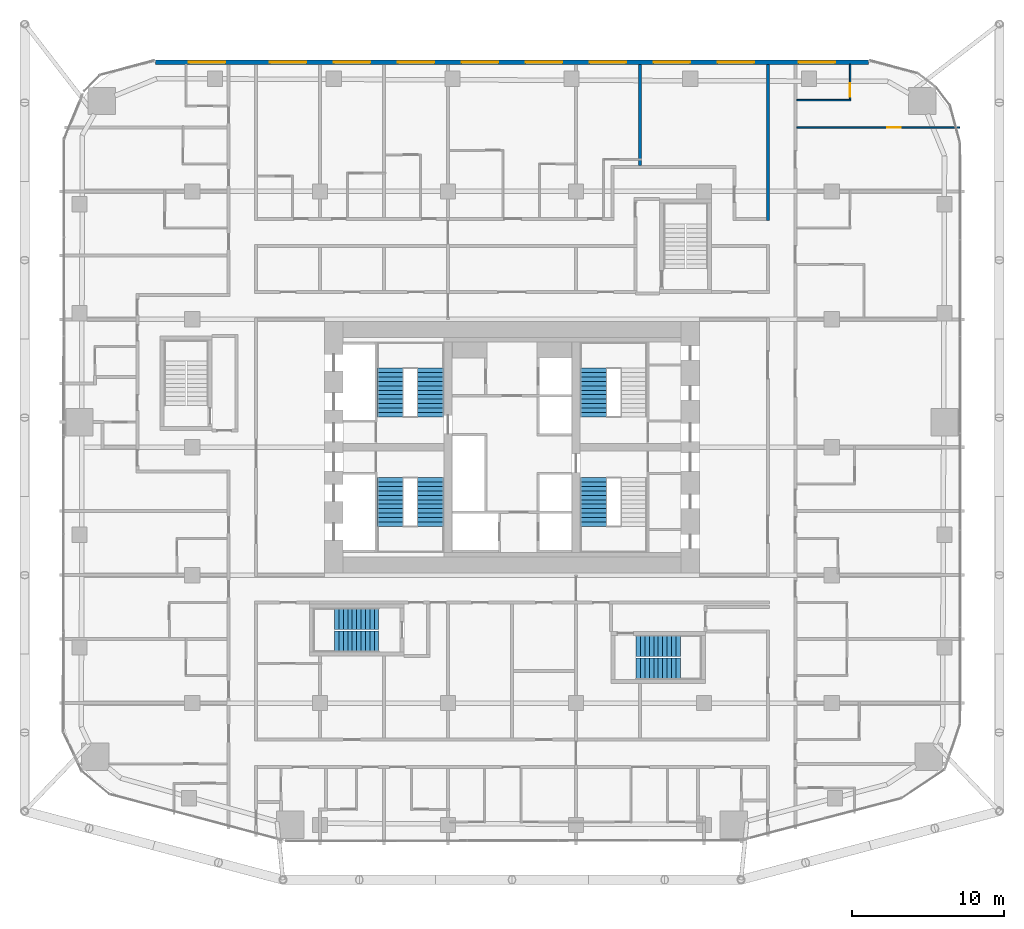
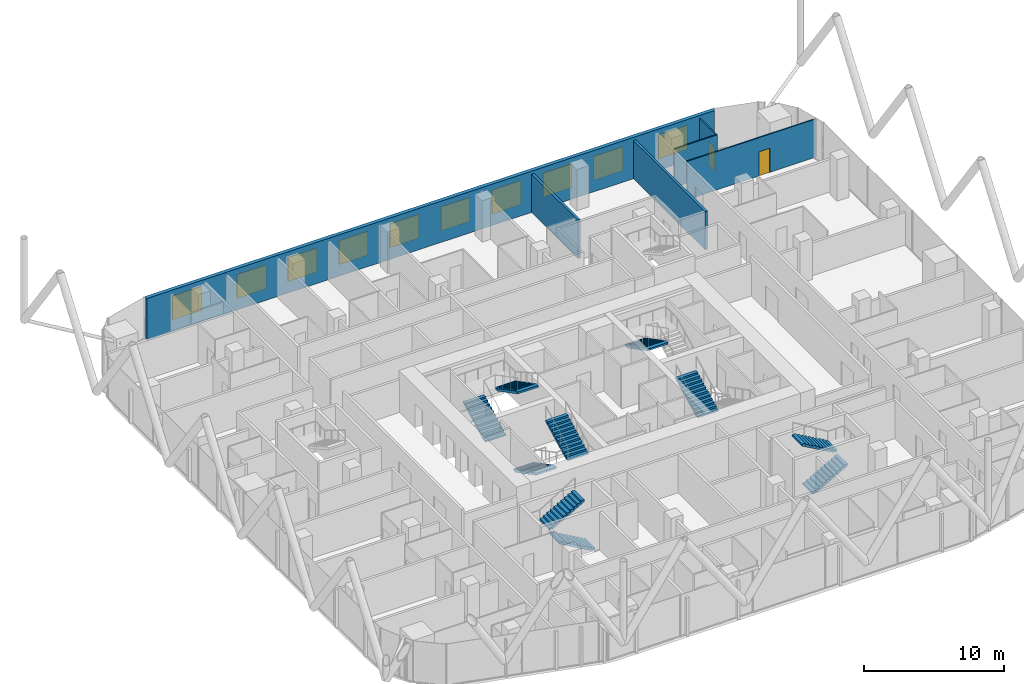
# One storey, part 32 of 35: 10 stair flights, 10 windows, 6 walls, 2 doors, 12 openings, 6 elements without a shape of their own.
"""IFC4 building model written with IfcOpenShell, lengths in metres."""

import ifcopenshell
import ifcopenshell.guid

model = None  # the IFC model being written
_history = None  # IfcOwnerHistory: only IFC2X3 demands one
_inside = {}  # id of a spatial element -> (the spatial element, [elements in it])
_under = {}  # id of a project, library or spatial element -> (it, [spatial elements below it])
_declared = {}  # id of a project -> (the project, [libraries it declares])
_typed = {}  # id of a type object -> (the type object, [elements of that type])
_made_of = {}  # id of a material, layer set ... -> (it, [elements and type objects made of it])


def new_model(schema):
    """Start an empty IFC model of exactly this schema.

    Asked for "IFC4X3", IfcOpenShell would pick the latest addendum, in which some entities
    have other attributes; the version numbers below select the first issue.
    IFC2X3 requires an IfcOwnerHistory on every rooted entity: one is made here for all.
    """
    global model, _history
    if schema == "IFC4X3":
        model = ifcopenshell.file(schema_version=(4, 3, 0, 0))
    else:
        model = ifcopenshell.file(schema=schema)
    _inside.clear()
    _under.clear()
    _declared.clear()
    _typed.clear()
    _made_of.clear()
    _history = None
    if model.schema == "IFC2X3":
        org = make("IfcOrganization", Name="unknown")
        user = make(
            "IfcPersonAndOrganization",
            ThePerson=make("IfcPerson", FamilyName="unknown"),
            TheOrganization=org,
        )
        app = make(
            "IfcApplication",
            ApplicationDeveloper=org,
            Version="unknown",
            ApplicationFullName="unknown",
            ApplicationIdentifier="unknown",
        )
        _history = make(
            "IfcOwnerHistory",
            OwningUser=user,
            OwningApplication=app,
            ChangeAction="ADDED",
            CreationDate=0,
        )
    return model


def make(cls, **values):
    """One entity of the class cls with the attributes given. An attribute that is None is left unset."""
    return model.create_entity(
        cls, **{name: value for name, value in values.items() if value is not None}
    )


def rooted(cls, **values):
    """An entity with a GlobalId (a new one), such as an element, a storey or a relation."""
    return make(cls, GlobalId=ifcopenshell.guid.new(), OwnerHistory=_history, **values)


def si_unit(unit_type, name, prefix=None):
    """IfcSIUnit, for example si_unit("LENGTHUNIT", "METRE", prefix="MILLI")."""
    return make("IfcSIUnit", UnitType=unit_type, Prefix=prefix, Name=name)


def assignment(units):
    """IfcUnitAssignment: the units of a project."""
    return None if units is None else make("IfcUnitAssignment", Units=units)


def point(xyz):
    """IfcCartesianPoint."""
    return None if xyz is None else make("IfcCartesianPoint", Coordinates=xyz)


def direction(xyz):
    """IfcDirection."""
    return None if xyz is None else make("IfcDirection", DirectionRatios=xyz)


def frame(location, z_axis=None, x_axis=None):
    """IfcAxis2Placement3D, a coordinate frame: its origin and axes. An axis left out is left unset."""
    return make(
        "IfcAxis2Placement3D",
        Location=point(location),
        Axis=direction(z_axis),
        RefDirection=direction(x_axis),
    )


def frame_2d(location, x_axis=None):
    """IfcAxis2Placement2D, a coordinate frame in the plane: its origin and x axis."""
    return make(
        "IfcAxis2Placement2D", Location=point(location), RefDirection=direction(x_axis)
    )


def origin():
    """The frame at (0, 0, 0) with its axes left unset."""
    return frame((0.0, 0.0, 0.0))


def place(relative_to, where):
    """IfcLocalPlacement: puts the frame where relative to a parent placement (None: the world)."""
    return make(
        "IfcLocalPlacement", PlacementRelTo=relative_to, RelativePlacement=where
    )


def context(
    kind, dimensions, precision=None, world=None, true_north=None, identifier=None
):
    """IfcGeometricRepresentationContext, for example the 3D "Model" context."""
    return make(
        "IfcGeometricRepresentationContext",
        ContextIdentifier=identifier,
        ContextType=kind,
        CoordinateSpaceDimension=dimensions,
        Precision=precision,
        WorldCoordinateSystem=world,
        TrueNorth=true_north,
    )


def subcontext(parent, identifier, kind, view, scale=None):
    """IfcGeometricRepresentationSubContext, for example "Body" below "Model"."""
    return make(
        "IfcGeometricRepresentationSubContext",
        ContextIdentifier=identifier,
        ContextType=kind,
        ParentContext=parent,
        TargetScale=scale,
        TargetView=view,
    )


def project(units=None, contexts=None):
    """IfcProject with its units and contexts."""
    return rooted(
        "IfcProject",
        Name="project",
        RepresentationContexts=contexts,
        UnitsInContext=assignment(units),
    )


def spatial(cls, under=None, at=None, **own):
    """A site, building, storey or space (cls), placed at a placement, below another one or the project."""
    s = rooted(cls, ObjectPlacement=at, **own)
    if under is not None:
        _under.setdefault(under.id(), (under, []))[1].append(s)
    return s


def polyline(points):
    """IfcPolyline through the points."""
    return make("IfcPolyline", Points=[point(p) for p in points])


def profile(cls, at=None, kind="AREA", **sizes):
    """A parametric profile (cls). Its sizes go by their IFC names, for example OverallWidth=200.0."""
    return make(cls, ProfileType=kind, Position=at, **sizes)


def rectangle(**sizes):
    """IfcRectangleProfileDef."""
    return profile("IfcRectangleProfileDef", **sizes)


def outline(outer, holes=None, kind="AREA"):
    """IfcArbitraryClosedProfileDef: a profile drawn as a closed curve; with holes, ...WithVoids."""
    if holes is None:
        return make("IfcArbitraryClosedProfileDef", ProfileType=kind, OuterCurve=outer)
    return make(
        "IfcArbitraryProfileDefWithVoids",
        ProfileType=kind,
        OuterCurve=outer,
        InnerCurves=holes,
    )


def extrude(swept, where, along, depth):
    """IfcExtrudedAreaSolid: the profile swept, set in the frame where, extruded along a direction by depth."""
    return make(
        "IfcExtrudedAreaSolid",
        SweptArea=swept,
        Position=where,
        ExtrudedDirection=direction(along),
        Depth=depth,
    )


def shape(context_of_items, identifier, shape_type, items):
    """IfcShapeRepresentation: the items that make up one representation, for example the "Body"."""
    return make(
        "IfcShapeRepresentation",
        ContextOfItems=context_of_items,
        RepresentationIdentifier=identifier,
        RepresentationType=shape_type,
        Items=items,
    )


def material(Name=None, Category=None):
    """IfcMaterial."""
    return make("IfcMaterial", Name=Name, Category=Category)


def layer(
    of_material, thickness, ventilated=None, Name=None, Category=None, Priority=None
):
    """IfcMaterialLayer: one layer of a wall or slab, of a material (None: an air gap)."""
    return make(
        "IfcMaterialLayer",
        Material=of_material,
        LayerThickness=thickness,
        IsVentilated=ventilated,
        Name=Name,
        Category=Category,
        Priority=Priority,
    )


def layer_set(layers, Name=None):
    """IfcMaterialLayerSet."""
    return make("IfcMaterialLayerSet", MaterialLayers=layers, LayerSetName=Name)


def made_of(thing, what):
    """Note that an element or type object is made of a material, layer set ...; save() writes the relation."""
    if what is not None:
        _made_of.setdefault(what.id(), (what, []))[1].append(thing)
    return thing


def type_object(cls, material=None, **own):
    """A type object (cls), such as IfcWallType, which elements share."""
    return made_of(rooted(cls, **own), material)


def element(
    cls,
    number,
    at=None,
    inside=None,
    cuts=None,
    type_object=None,
    material=None,
    context=None,
    identifier="Body",
    shape_type=None,
    held_by="IfcProductDefinitionShape",
    body=None,
    shapes=None,
    **own,
):
    """One element of the class cls, such as IfcWall. Its Tag is "e" and its number.

    at: its placement. inside: the storey or other place that contains it. cuts: it is an
    opening in that element (IfcRelVoidsElement). A single representation is given by context,
    identifier, shape_type and body (its items); several are given by shapes. held_by: the class
    of the entity that holds the representations. save() writes the other relations.
    """
    e = rooted(cls, Tag="e%d" % number, ObjectPlacement=at, **own)
    if body is not None:
        shapes = [shape(context, identifier, shape_type, body)]
    if shapes is not None:
        e.Representation = make(held_by, Representations=shapes)
    if inside is not None:
        _inside.setdefault(inside.id(), (inside, []))[1].append(e)
    if cuts is not None:
        rooted(
            "IfcRelVoidsElement", RelatingBuildingElement=cuts, RelatedOpeningElement=e
        )
    if type_object is not None:
        _typed.setdefault(type_object.id(), (type_object, []))[1].append(e)
    return made_of(e, material)


def fill(opening, filler):
    """IfcRelFillsElement: the door or window that sits in an opening."""
    return rooted(
        "IfcRelFillsElement",
        RelatingOpeningElement=opening,
        RelatedBuildingElement=filler,
    )


def aggregate(whole, parts):
    """IfcRelAggregates: a whole, such as a stair, and the parts it consists of."""
    return rooted("IfcRelAggregates", RelatingObject=whole, RelatedObjects=parts)


def save(model, path):
    """Write the relations noted so far, then the file.

    IfcRelAggregates (storeys below a building ...), IfcRelContainedInSpatialStructure (elements
    in a storey), IfcRelDefinesByType, IfcRelAssociatesMaterial and IfcRelDeclares: one each for
    every whole, place, type object, material and project.
    """
    for whole, parts in _under.values():
        aggregate(whole, parts)
    for where, things in _inside.values():
        rooted(
            "IfcRelContainedInSpatialStructure",
            RelatedElements=things,
            RelatingStructure=where,
        )
    for kind, things in _typed.values():
        rooted("IfcRelDefinesByType", RelatedObjects=things, RelatingType=kind)
    for what, things in _made_of.values():
        rooted("IfcRelAssociatesMaterial", RelatedObjects=things, RelatingMaterial=what)
    for by, libraries in _declared.values():
        rooted("IfcRelDeclares", RelatingContext=by, RelatedDefinitions=libraries)
    model.write(path)


model = new_model("IFC4")

# Units and contexts
model_context = context("Model", 3, precision=1e-05, world=origin(), true_north=direction((0.0, 1.0)))
body_context = subcontext(model_context, "Body", "Model", "MODEL_VIEW")
ifc_project = project(units=[si_unit("LENGTHUNIT", "METRE"), si_unit("AREAUNIT", "SQUARE_METRE"), si_unit("VOLUMEUNIT", "CUBIC_METRE"), si_unit("PLANEANGLEUNIT", "RADIAN"), si_unit("MASSUNIT", "GRAM", prefix="KILO")], contexts=[model_context])

# Site, building, storey
site_placement = place(None, origin())
site = spatial("IfcSite", under=ifc_project, at=site_placement, CompositionType="ELEMENT")
building_placement = place(site_placement, origin())
building = spatial("IfcBuilding", under=site, at=building_placement, Name="Marenta Gate Hotel Tower", CompositionType="ELEMENT")
storey_placement = place(building_placement, frame((0.0, 0.0, 61.699951171875)))
storey = spatial("IfcBuildingStorey", under=building, at=storey_placement, Name="L13", CompositionType="ELEMENT", Elevation=61.699951171875)

# Wall, openings, windows
ifc_material_1 = material(Name="Concrete C40 board-marked", Category="concrete")
ifc_layer_1 = layer(ifc_material_1, 0.300048828125)
ifc_layer_set_1 = layer_set([ifc_layer_1], Name="Concrete C40 board-marked")
wall_type_1 = type_object("IfcWallType", Name="Board-marked concrete wall 300 mm", PredefinedType="NOTDEFINED", material=ifc_layer_set_1)
wall_1_placement = place(storey_placement, frame((23.406005859375, 33.68994140625, 0.0), z_axis=(0.0, 0.0, 1.0), x_axis=(-1.0, 0.0, 0.0)))
wall_1 = element("IfcWall", 1, at=wall_1_placement, inside=storey, type_object=wall_type_1, Name="L13-CLD-N00", PredefinedType="NOTDEFINED", context=body_context, shape_type="SweptSolid", body=[
    extrude(rectangle(XDim=46.81201171875, YDim=0.300048828125, at=frame_2d((23.406005859375, 0.0))), origin(), (0.0, 0.0, 1.0), 3.60009765625),
])
opening_1_placement = place(wall_1_placement, frame((2.185791015625, 0.0, 0.89990234375)))
opening_1 = element("IfcOpeningElement", 2, at=opening_1_placement, cuts=wall_1, Name="Opening W1", PredefinedType="OPENING", context=body_context, shape_type="SweptSolid", body=[
    extrude(rectangle(XDim=2.39990234375, YDim=2.10009765625, at=frame_2d((1.199951171875, 1.050048828125))), frame((0.0, 0.14990234375, 0.0), z_axis=(0.0, -1.0, 0.0), x_axis=(1.0, 0.0, 0.0)), (0.0, 0.0, 1.0), 0.300048828125),
])
opening_2_placement = place(wall_1_placement, frame((7.505859375, 0.0, 0.89990234375)))
opening_2 = element("IfcOpeningElement", 3, at=opening_2_placement, cuts=wall_1, Name="Opening W1", PredefinedType="OPENING", context=body_context, shape_type="SweptSolid", body=[
    extrude(rectangle(XDim=2.39990234375, YDim=2.10009765625, at=frame_2d((1.199951171875, 1.050048828125))), frame((0.0, 0.14990234375, 0.0), z_axis=(0.0, -1.0, 0.0), x_axis=(1.0, 0.0, 0.0)), (0.0, 0.0, 1.0), 0.300048828125),
])
opening_3_placement = place(wall_1_placement, frame((11.705810546875, 0.0, 0.89990234375)))
opening_3 = element("IfcOpeningElement", 4, at=opening_3_placement, cuts=wall_1, Name="Opening W1", PredefinedType="OPENING", context=body_context, shape_type="SweptSolid", body=[
    extrude(rectangle(XDim=2.39990234375, YDim=2.10009765625, at=frame_2d((1.199951171875, 1.050048828125))), frame((0.0, 0.14990234375, 0.0), z_axis=(0.0, -1.0, 0.0), x_axis=(1.0, 0.0, 0.0)), (0.0, 0.0, 1.0), 0.300048828125),
])
opening_4_placement = place(wall_1_placement, frame((15.906005859375, 0.0, 0.89990234375)))
opening_4 = element("IfcOpeningElement", 5, at=opening_4_placement, cuts=wall_1, Name="Opening W1", PredefinedType="OPENING", context=body_context, shape_type="SweptSolid", body=[
    extrude(rectangle(XDim=2.39990234375, YDim=2.10009765625, at=frame_2d((1.199951171875, 1.050048828125))), frame((0.0, 0.14990234375, 0.0), z_axis=(0.0, -1.0, 0.0), x_axis=(1.0, 0.0, 0.0)), (0.0, 0.0, 1.0), 0.300048828125),
])
opening_5_placement = place(wall_1_placement, frame((20.10595703125, 0.0, 0.89990234375)))
opening_5 = element("IfcOpeningElement", 6, at=opening_5_placement, cuts=wall_1, Name="Opening W1", PredefinedType="OPENING", context=body_context, shape_type="SweptSolid", body=[
    extrude(rectangle(XDim=2.39990234375, YDim=2.10009765625, at=frame_2d((1.199951171875, 1.050048828125))), frame((0.0, 0.14990234375, 0.0), z_axis=(0.0, -1.0, 0.0), x_axis=(1.0, 0.0, 0.0)), (0.0, 0.0, 1.0), 0.300048828125),
])
opening_6_placement = place(wall_1_placement, frame((24.305908203125, 0.0, 0.89990234375)))
opening_6 = element("IfcOpeningElement", 7, at=opening_6_placement, cuts=wall_1, Name="Opening W1", PredefinedType="OPENING", context=body_context, shape_type="SweptSolid", body=[
    extrude(rectangle(XDim=2.39990234375, YDim=2.10009765625, at=frame_2d((1.199951171875, 1.050048828125))), frame((0.0, 0.14990234375, 0.0), z_axis=(0.0, -1.0, 0.0), x_axis=(1.0, 0.0, 0.0)), (0.0, 0.0, 1.0), 0.300048828125),
])
opening_7_placement = place(wall_1_placement, frame((28.505859375, 0.0, 0.89990234375)))
opening_7 = element("IfcOpeningElement", 8, at=opening_7_placement, cuts=wall_1, Name="Opening W1", PredefinedType="OPENING", context=body_context, shape_type="SweptSolid", body=[
    extrude(rectangle(XDim=2.39990234375, YDim=2.10009765625, at=frame_2d((1.199951171875, 1.050048828125))), frame((0.0, 0.14990234375, 0.0), z_axis=(0.0, -1.0, 0.0), x_axis=(1.0, 0.0, 0.0)), (0.0, 0.0, 1.0), 0.300048828125),
])
opening_8_placement = place(wall_1_placement, frame((32.705810546875, 0.0, 0.89990234375)))
opening_8 = element("IfcOpeningElement", 9, at=opening_8_placement, cuts=wall_1, Name="Opening W1", PredefinedType="OPENING", context=body_context, shape_type="SweptSolid", body=[
    extrude(rectangle(XDim=2.39990234375, YDim=2.10009765625, at=frame_2d((1.199951171875, 1.050048828125))), frame((0.0, 0.14990234375, 0.0), z_axis=(0.0, -1.0, 0.0), x_axis=(1.0, 0.0, 0.0)), (0.0, 0.0, 1.0), 0.300048828125),
])
opening_9_placement = place(wall_1_placement, frame((36.906005859375, 0.0, 0.89990234375)))
opening_9 = element("IfcOpeningElement", 10, at=opening_9_placement, cuts=wall_1, Name="Opening W1", PredefinedType="OPENING", context=body_context, shape_type="SweptSolid", body=[
    extrude(rectangle(XDim=2.39990234375, YDim=2.10009765625, at=frame_2d((1.199951171875, 1.050048828125))), frame((0.0, 0.14990234375, 0.0), z_axis=(0.0, -1.0, 0.0), x_axis=(1.0, 0.0, 0.0)), (0.0, 0.0, 1.0), 0.300048828125),
])
opening_10_placement = place(wall_1_placement, frame((42.225830078125, 0.0, 0.89990234375)))
opening_10 = element("IfcOpeningElement", 11, at=opening_10_placement, cuts=wall_1, Name="Opening W1", PredefinedType="OPENING", context=body_context, shape_type="SweptSolid", body=[
    extrude(rectangle(XDim=2.39990234375, YDim=2.10009765625, at=frame_2d((1.199951171875, 1.050048828125))), frame((0.0, 0.14990234375, 0.0), z_axis=(0.0, -1.0, 0.0), x_axis=(1.0, 0.0, 0.0)), (0.0, 0.0, 1.0), 0.300048828125),
])
ifc_material_2 = material(Name="Tinted insulated glass in bronze anodised frame", Category="glass")
window_type = type_object("IfcWindowType", Name="Window W1 2400x2100 bronze frame", PartitioningType="SINGLE_PANEL", PredefinedType="WINDOW", material=ifc_material_2)
window_1_placement = place(opening_1_placement, origin())
window_1 = element("IfcWindow", 12, at=window_1_placement, inside=storey, type_object=window_type, Name="Window W1", OverallHeight=2.10009765625, OverallWidth=2.39990234375, PartitioningType="SINGLE_PANEL", PredefinedType="WINDOW", context=body_context, shape_type="SweptSolid", body=[
    extrude(rectangle(XDim=2.39990234375, YDim=2.10009765625, at=frame_2d((1.199951171875, 1.050048828125))), frame((0.0, 0.030029296875, 0.0), z_axis=(0.0, -1.0, 0.0), x_axis=(1.0, 0.0, 0.0)), (0.0, 0.0, 1.0), 0.06005859375),
])
fill(opening_1, window_1)
window_2_placement = place(opening_2_placement, origin())
window_2 = element("IfcWindow", 13, at=window_2_placement, inside=storey, type_object=window_type, Name="Window W1", OverallHeight=2.10009765625, OverallWidth=2.39990234375, PartitioningType="SINGLE_PANEL", PredefinedType="WINDOW", context=body_context, shape_type="SweptSolid", body=[
    extrude(rectangle(XDim=2.39990234375, YDim=2.10009765625, at=frame_2d((1.199951171875, 1.050048828125))), frame((0.0, 0.030029296875, 0.0), z_axis=(0.0, -1.0, 0.0), x_axis=(1.0, 0.0, 0.0)), (0.0, 0.0, 1.0), 0.06005859375),
])
fill(opening_2, window_2)
window_3_placement = place(opening_3_placement, origin())
window_3 = element("IfcWindow", 14, at=window_3_placement, inside=storey, type_object=window_type, Name="Window W1", OverallHeight=2.10009765625, OverallWidth=2.39990234375, PartitioningType="SINGLE_PANEL", PredefinedType="WINDOW", context=body_context, shape_type="SweptSolid", body=[
    extrude(rectangle(XDim=2.39990234375, YDim=2.10009765625, at=frame_2d((1.199951171875, 1.050048828125))), frame((0.0, 0.030029296875, 0.0), z_axis=(0.0, -1.0, 0.0), x_axis=(1.0, 0.0, 0.0)), (0.0, 0.0, 1.0), 0.06005859375),
])
fill(opening_3, window_3)
window_4_placement = place(opening_4_placement, origin())
window_4 = element("IfcWindow", 15, at=window_4_placement, inside=storey, type_object=window_type, Name="Window W1", OverallHeight=2.10009765625, OverallWidth=2.39990234375, PartitioningType="SINGLE_PANEL", PredefinedType="WINDOW", context=body_context, shape_type="SweptSolid", body=[
    extrude(rectangle(XDim=2.39990234375, YDim=2.10009765625, at=frame_2d((1.199951171875, 1.050048828125))), frame((0.0, 0.030029296875, 0.0), z_axis=(0.0, -1.0, 0.0), x_axis=(1.0, 0.0, 0.0)), (0.0, 0.0, 1.0), 0.06005859375),
])
fill(opening_4, window_4)
window_5_placement = place(opening_5_placement, origin())
window_5 = element("IfcWindow", 16, at=window_5_placement, inside=storey, type_object=window_type, Name="Window W1", OverallHeight=2.10009765625, OverallWidth=2.39990234375, PartitioningType="SINGLE_PANEL", PredefinedType="WINDOW", context=body_context, shape_type="SweptSolid", body=[
    extrude(rectangle(XDim=2.39990234375, YDim=2.10009765625, at=frame_2d((1.199951171875, 1.050048828125))), frame((0.0, 0.030029296875, 0.0), z_axis=(0.0, -1.0, 0.0), x_axis=(1.0, 0.0, 0.0)), (0.0, 0.0, 1.0), 0.06005859375),
])
fill(opening_5, window_5)
window_6_placement = place(opening_6_placement, origin())
window_6 = element("IfcWindow", 17, at=window_6_placement, inside=storey, type_object=window_type, Name="Window W1", OverallHeight=2.10009765625, OverallWidth=2.39990234375, PartitioningType="SINGLE_PANEL", PredefinedType="WINDOW", context=body_context, shape_type="SweptSolid", body=[
    extrude(rectangle(XDim=2.39990234375, YDim=2.10009765625, at=frame_2d((1.199951171875, 1.050048828125))), frame((0.0, 0.030029296875, 0.0), z_axis=(0.0, -1.0, 0.0), x_axis=(1.0, 0.0, 0.0)), (0.0, 0.0, 1.0), 0.06005859375),
])
fill(opening_6, window_6)
window_7_placement = place(opening_7_placement, origin())
window_7 = element("IfcWindow", 18, at=window_7_placement, inside=storey, type_object=window_type, Name="Window W1", OverallHeight=2.10009765625, OverallWidth=2.39990234375, PartitioningType="SINGLE_PANEL", PredefinedType="WINDOW", context=body_context, shape_type="SweptSolid", body=[
    extrude(rectangle(XDim=2.39990234375, YDim=2.10009765625, at=frame_2d((1.199951171875, 1.050048828125))), frame((0.0, 0.030029296875, 0.0), z_axis=(0.0, -1.0, 0.0), x_axis=(1.0, 0.0, 0.0)), (0.0, 0.0, 1.0), 0.06005859375),
])
fill(opening_7, window_7)
window_8_placement = place(opening_8_placement, origin())
window_8 = element("IfcWindow", 19, at=window_8_placement, inside=storey, type_object=window_type, Name="Window W1", OverallHeight=2.10009765625, OverallWidth=2.39990234375, PartitioningType="SINGLE_PANEL", PredefinedType="WINDOW", context=body_context, shape_type="SweptSolid", body=[
    extrude(rectangle(XDim=2.39990234375, YDim=2.10009765625, at=frame_2d((1.199951171875, 1.050048828125))), frame((0.0, 0.030029296875, 0.0), z_axis=(0.0, -1.0, 0.0), x_axis=(1.0, 0.0, 0.0)), (0.0, 0.0, 1.0), 0.06005859375),
])
fill(opening_8, window_8)
window_9_placement = place(opening_9_placement, origin())
window_9 = element("IfcWindow", 20, at=window_9_placement, inside=storey, type_object=window_type, Name="Window W1", OverallHeight=2.10009765625, OverallWidth=2.39990234375, PartitioningType="SINGLE_PANEL", PredefinedType="WINDOW", context=body_context, shape_type="SweptSolid", body=[
    extrude(rectangle(XDim=2.39990234375, YDim=2.10009765625, at=frame_2d((1.199951171875, 1.050048828125))), frame((0.0, 0.030029296875, 0.0), z_axis=(0.0, -1.0, 0.0), x_axis=(1.0, 0.0, 0.0)), (0.0, 0.0, 1.0), 0.06005859375),
])
fill(opening_9, window_9)
window_10_placement = place(opening_10_placement, origin())
window_10 = element("IfcWindow", 21, at=window_10_placement, inside=storey, type_object=window_type, Name="Window W1", OverallHeight=2.10009765625, OverallWidth=2.39990234375, PartitioningType="SINGLE_PANEL", PredefinedType="WINDOW", context=body_context, shape_type="SweptSolid", body=[
    extrude(rectangle(XDim=2.39990234375, YDim=2.10009765625, at=frame_2d((1.199951171875, 1.050048828125))), frame((0.0, 0.030029296875, 0.0), z_axis=(0.0, -1.0, 0.0), x_axis=(1.0, 0.0, 0.0)), (0.0, 0.0, 1.0), 0.06005859375),
])
fill(opening_10, window_10)

# Wall
ifc_material_3 = material(Name="Gypsum board on steel stud", Category="steel")
ifc_layer_2 = layer(ifc_material_3, 0.199951171875)
ifc_layer_set_2 = layer_set([ifc_layer_2], Name="Gypsum board on steel stud")
wall_type_2 = type_object("IfcWallType", Name="Room corridor wall 200 EI 60", PredefinedType="PARTITIONING", material=ifc_layer_set_2)
wall_2_placement = place(storey_placement, frame((16.800048828125, 23.300048828125, 0.0), z_axis=(0.0, 0.0, 1.0), x_axis=(0.0, 1.0, 0.0)))
element("IfcWall", 22, at=wall_2_placement, inside=storey, type_object=wall_type_2, Name="L13-PTN-W013", PredefinedType="PARTITIONING", context=body_context, shape_type="SweptSolid", body=[
    extrude(rectangle(XDim=10.239990234375, YDim=0.199951171875, at=frame_2d((5.1201171875, 0.0))), origin(), (0.0, 0.0, 1.0), 3.340087890625),
])

# Wall, opening, door
ifc_material_4 = material(Name="Gypsum board on steel stud", Category="steel")
ifc_layer_3 = layer(ifc_material_4, 0.10009765625)
ifc_layer_set_3 = layer_set([ifc_layer_3], Name="Gypsum board on steel stud")
wall_type_3 = type_object("IfcWallType", Name="Room partition 100", PredefinedType="PARTITIONING", material=ifc_layer_set_3)
wall_3_placement = place(storey_placement, frame((22.199951171875, 31.25, 0.0), z_axis=(0.0, 0.0, 1.0), x_axis=(0.0, 1.0, 0.0)))
wall_3 = element("IfcWall", 23, at=wall_3_placement, inside=storey, type_object=wall_type_3, Name="L13-PTN-W006", PredefinedType="PARTITIONING", context=body_context, shape_type="SweptSolid", body=[
    extrude(rectangle(XDim=2.2900390625, YDim=0.10009765625, at=frame_2d((1.14501953125, 0.0))), origin(), (0.0, 0.0, 1.0), 3.340087890625),
])
opening_11_placement = place(wall_3_placement, frame((0.14990234375, 0.0, 0.0)))
opening_11 = element("IfcOpeningElement", 24, at=opening_11_placement, cuts=wall_3, Name="Opening G04-28", PredefinedType="OPENING", context=body_context, shape_type="SweptSolid", body=[
    extrude(rectangle(XDim=0.89990234375, YDim=2.10009765625, at=frame_2d((0.449951171875, 1.050048828125))), frame((0.0, 0.050048828125, 0.0), z_axis=(0.0, -1.0, 0.0), x_axis=(1.0, 0.0, 0.0)), (0.0, 0.0, 1.0), 0.10009765625),
])
ifc_material_5 = material(Name="Timber door leaf", Category="wood")
door_type_1 = type_object("IfcDoorType", Name="Guest bathroom door 900x2100", OperationType="NOTDEFINED", PredefinedType="DOOR", material=ifc_material_5)
door_1_placement = place(opening_11_placement, origin())
door_1 = element("IfcDoor", 25, at=door_1_placement, inside=storey, type_object=door_type_1, Name="L13-PD-D028", OperationType="SINGLE_SWING_LEFT", OverallHeight=2.10009765625, OverallWidth=0.89990234375, PredefinedType="DOOR", context=body_context, shape_type="SweptSolid", body=[
    extrude(rectangle(XDim=0.89990234375, YDim=2.10009765625, at=frame_2d((0.449951171875, 1.050048828125))), frame((0.0, 0.02490234375, 0.0), z_axis=(0.0, -1.0, 0.0), x_axis=(1.0, 0.0, 0.0)), (0.0, 0.0, 1.0), 0.050048828125),
])
fill(opening_11, door_1)

wall_4_placement = place(storey_placement, frame((18.699951171875, 29.39990234375, 0.0), z_axis=(0.0, 0.0, 1.0), x_axis=(1.0, 0.0, 0.0)))
wall_4 = element("IfcWall", 26, at=wall_4_placement, inside=storey, type_object=wall_type_3, Name="L13-PTN-W153", PredefinedType="PARTITIONING", context=body_context, shape_type="SweptSolid", body=[
    extrude(rectangle(XDim=10.693115234375, YDim=0.10009765625, at=frame_2d((5.3466796875, 0.0))), origin(), (0.0, 0.0, 1.0), 3.340087890625),
])
opening_12_placement = place(wall_4_placement, frame((5.929931640625, 0.0, 0.0)))
opening_12 = element("IfcOpeningElement", 27, at=opening_12_placement, cuts=wall_4, Name="Opening G04-27", PredefinedType="OPENING", context=body_context, shape_type="SweptSolid", body=[
    extrude(rectangle(XDim=0.89990234375, YDim=2.10009765625, at=frame_2d((0.449951171875, 1.050048828125))), frame((0.0, 0.050048828125, 0.0), z_axis=(0.0, -1.0, 0.0), x_axis=(1.0, 0.0, 0.0)), (0.0, 0.0, 1.0), 0.10009765625),
])
ifc_material_6 = material(Name="Timber door leaf", Category="wood")
door_type_2 = type_object("IfcDoorType", Name="Room inner door 900x2100", OperationType="NOTDEFINED", PredefinedType="DOOR", material=ifc_material_6)
door_2_placement = place(opening_12_placement, origin())
door_2 = element("IfcDoor", 28, at=door_2_placement, inside=storey, type_object=door_type_2, Name="L13-PD-D027", OperationType="SINGLE_SWING_RIGHT", OverallHeight=2.10009765625, OverallWidth=0.89990234375, PredefinedType="DOOR", context=body_context, shape_type="SweptSolid", body=[
    extrude(rectangle(XDim=0.89990234375, YDim=2.10009765625, at=frame_2d((0.449951171875, 1.050048828125))), frame((0.0, 0.02490234375, 0.0), z_axis=(0.0, -1.0, 0.0), x_axis=(1.0, 0.0, 0.0)), (0.0, 0.0, 1.0), 0.050048828125),
])
fill(opening_12, door_2)

# Walls
wall_5_placement = place(storey_placement, frame((18.699951171875, 31.199951171875, 0.0), z_axis=(0.0, 0.0, 1.0), x_axis=(1.0, 0.0, 0.0)))
element("IfcWall", 29, at=wall_5_placement, inside=storey, type_object=wall_type_3, Name="L13-PTN-W155", PredefinedType="PARTITIONING", context=body_context, shape_type="SweptSolid", body=[
    extrude(rectangle(XDim=3.550048828125, YDim=0.10009765625, at=frame_2d((1.77490234375, 0.0))), origin(), (0.0, 0.0, 1.0), 3.340087890625),
])
ifc_material_7 = material(Name="Gypsum board on steel stud", Category="steel")
ifc_layer_4 = layer(ifc_material_7, 0.199951171875)
ifc_layer_set_4 = layer_set([ifc_layer_4], Name="Gypsum board on steel stud")
wall_type_4 = type_object("IfcWallType", Name="Room party wall 200 EI 60", PredefinedType="PARTITIONING", material=ifc_layer_set_4)
wall_6_placement = place(storey_placement, frame((8.39990234375, 26.89990234375, 0.0), z_axis=(0.0, 0.0, 1.0), x_axis=(0.0, 1.0, 0.0)))
element("IfcWall", 30, at=wall_6_placement, inside=storey, type_object=wall_type_4, Name="L13-PTN-W038", PredefinedType="PARTITIONING", context=body_context, shape_type="SweptSolid", body=[
    extrude(rectangle(XDim=6.64013671875, YDim=0.199951171875, at=frame_2d((3.320068359375, 0.0))), origin(), (0.0, 0.0, 1.0), 3.340087890625),
])

# Stair, stair flights
ifc_material_8 = material(Name="Concrete C40", Category="concrete")
stair_type_1 = type_object("IfcStairType", Name="Core exit stair 1700 wide", PredefinedType="HALF_TURN_STAIR", material=ifc_material_8)
stair_1_placement = place(storey_placement, origin())
stair_1 = element("IfcStair", 31, at=stair_1_placement, inside=storey, type_object=stair_type_1, Name="Exit stair 1", PredefinedType="HALF_TURN_STAIR")
ifc_material_9 = material(Name="Concrete C40", Category="concrete")
stair_flight_type_1 = type_object("IfcStairFlightType", Name="Core stair flight 1700 riser 150.0 going 290", PredefinedType="STRAIGHT", material=ifc_material_9)
stair_flight_1_placement = place(storey_placement, frame((-8.0, 6.39990234375, 0.0), z_axis=(0.0, 0.0, 1.0), x_axis=(0.0, -1.0, 0.0)))
stair_flight_1 = element("IfcStairFlight", 32, at=stair_flight_1_placement, type_object=stair_flight_type_1, Name="ST1 flight 1", NumberOfRisers=12, NumberOfTreads=11, PredefinedType="STRAIGHT", RiserHeight=0.15, TreadLength=0.29, context=body_context, shape_type="SweptSolid", body=[
    extrude(outline(polyline([(0.0, 0.0), (0.0, 0.14990234375), (0.2900390625, 0.14990234375), (0.2900390625, 0.300048828125), (0.580078125, 0.300048828125), (0.580078125, 0.449951171875), (0.8701171875, 0.449951171875), (0.8701171875, 0.60009765625), (1.159912109375, 0.60009765625), (1.159912109375, 0.75), (1.449951171875, 0.75), (1.449951171875, 0.89990234375), (1.739990234375, 0.89990234375), (1.739990234375, 1.050048828125), (2.030029296875, 1.050048828125), (2.030029296875, 1.199951171875), (2.320068359375, 1.199951171875), (2.320068359375, 1.35009765625), (2.610107421875, 1.35009765625), (2.610107421875, 1.5), (2.89990234375, 1.5), (2.89990234375, 1.64990234375), (3.18994140625, 1.64990234375), (3.18994140625, 1.800048828125), (3.18994140625, 1.481201171875), (0.326171875, 0.0), (0.0, 0.0)])), frame((0.0, 0.85009765625, 0.0), z_axis=(0.0, -1.0, 0.0), x_axis=(1.0, 0.0, 0.0)), (0.0, 0.0, 1.0), 1.699951171875),
])
stair_flight_2_placement = place(storey_placement, frame((-5.35009765625, 3.2099609375, 1.800048828125), z_axis=(0.0, 0.0, 1.0), x_axis=(0.0, 1.0, 0.0)))
stair_flight_2 = element("IfcStairFlight", 33, at=stair_flight_2_placement, type_object=stair_flight_type_1, Name="ST1 flight 2", NumberOfRisers=12, NumberOfTreads=11, PredefinedType="STRAIGHT", RiserHeight=0.15, TreadLength=0.29, context=body_context, shape_type="SweptSolid", body=[
    extrude(outline(polyline([(0.0, 0.0), (0.0, 0.14990234375), (0.2900390625, 0.14990234375), (0.2900390625, 0.300048828125), (0.580078125, 0.300048828125), (0.580078125, 0.449951171875), (0.8701171875, 0.449951171875), (0.8701171875, 0.60009765625), (1.159912109375, 0.60009765625), (1.159912109375, 0.75), (1.449951171875, 0.75), (1.449951171875, 0.89990234375), (1.739990234375, 0.89990234375), (1.739990234375, 1.050048828125), (2.030029296875, 1.050048828125), (2.030029296875, 1.199951171875), (2.320068359375, 1.199951171875), (2.320068359375, 1.35009765625), (2.610107421875, 1.35009765625), (2.610107421875, 1.5), (2.89990234375, 1.5), (2.89990234375, 1.64990234375), (3.18994140625, 1.64990234375), (3.18994140625, 1.800048828125), (3.18994140625, 1.481201171875), (0.326171875, 0.0), (0.0, 0.0)])), frame((0.0, 0.85009765625, 0.0), z_axis=(0.0, -1.0, 0.0), x_axis=(1.0, 0.0, 0.0)), (0.0, 0.0, 1.0), 1.699951171875),
])
aggregate(stair_1, [stair_flight_1, stair_flight_2])

stair_2_placement = place(storey_placement, origin())
stair_2 = element("IfcStair", 34, at=stair_2_placement, inside=storey, type_object=stair_type_1, Name="Exit stair 2", PredefinedType="HALF_TURN_STAIR")
stair_flight_3_placement = place(storey_placement, frame((-8.0, 10.39990234375, 0.0), z_axis=(0.0, 0.0, 1.0), x_axis=(0.0, 1.0, 0.0)))
stair_flight_3 = element("IfcStairFlight", 35, at=stair_flight_3_placement, type_object=stair_flight_type_1, Name="ST2 flight 1", NumberOfRisers=12, NumberOfTreads=11, PredefinedType="STRAIGHT", RiserHeight=0.15, TreadLength=0.29, context=body_context, shape_type="SweptSolid", body=[
    extrude(outline(polyline([(0.0, 0.0), (0.0, 0.14990234375), (0.2900390625, 0.14990234375), (0.2900390625, 0.300048828125), (0.580078125, 0.300048828125), (0.580078125, 0.449951171875), (0.8701171875, 0.449951171875), (0.8701171875, 0.60009765625), (1.159912109375, 0.60009765625), (1.159912109375, 0.75), (1.449951171875, 0.75), (1.449951171875, 0.89990234375), (1.739990234375, 0.89990234375), (1.739990234375, 1.050048828125), (2.030029296875, 1.050048828125), (2.030029296875, 1.199951171875), (2.320068359375, 1.199951171875), (2.320068359375, 1.35009765625), (2.610107421875, 1.35009765625), (2.610107421875, 1.5), (2.89990234375, 1.5), (2.89990234375, 1.64990234375), (3.18994140625, 1.64990234375), (3.18994140625, 1.800048828125), (3.18994140625, 1.481201171875), (0.326171875, 0.0), (0.0, 0.0)])), frame((0.0, 0.85009765625, 0.0), z_axis=(0.0, -1.0, 0.0), x_axis=(1.0, 0.0, 0.0)), (0.0, 0.0, 1.0), 1.699951171875),
])
stair_flight_4_placement = place(storey_placement, frame((-5.35009765625, 13.590087890625, 1.800048828125), z_axis=(0.0, 0.0, 1.0), x_axis=(0.0, -1.0, 0.0)))
stair_flight_4 = element("IfcStairFlight", 36, at=stair_flight_4_placement, type_object=stair_flight_type_1, Name="ST2 flight 2", NumberOfRisers=12, NumberOfTreads=11, PredefinedType="STRAIGHT", RiserHeight=0.15, TreadLength=0.29, context=body_context, shape_type="SweptSolid", body=[
    extrude(outline(polyline([(0.0, 0.0), (0.0, 0.14990234375), (0.2900390625, 0.14990234375), (0.2900390625, 0.300048828125), (0.580078125, 0.300048828125), (0.580078125, 0.449951171875), (0.8701171875, 0.449951171875), (0.8701171875, 0.60009765625), (1.159912109375, 0.60009765625), (1.159912109375, 0.75), (1.449951171875, 0.75), (1.449951171875, 0.89990234375), (1.739990234375, 0.89990234375), (1.739990234375, 1.050048828125), (2.030029296875, 1.050048828125), (2.030029296875, 1.199951171875), (2.320068359375, 1.199951171875), (2.320068359375, 1.35009765625), (2.610107421875, 1.35009765625), (2.610107421875, 1.5), (2.89990234375, 1.5), (2.89990234375, 1.64990234375), (3.18994140625, 1.64990234375), (3.18994140625, 1.800048828125), (3.18994140625, 1.481201171875), (0.326171875, 0.0), (0.0, 0.0)])), frame((0.0, 0.85009765625, 0.0), z_axis=(0.0, -1.0, 0.0), x_axis=(1.0, 0.0, 0.0)), (0.0, 0.0, 1.0), 1.699951171875),
])
aggregate(stair_2, [stair_flight_3, stair_flight_4])

# Stair, stair flight
stair_3_placement = place(storey_placement, origin())
stair_3 = element("IfcStair", 37, at=stair_3_placement, inside=storey, type_object=stair_type_1, Name="Exit stair 3", PredefinedType="HALF_TURN_STAIR")
stair_flight_5_placement = place(storey_placement, frame((5.35009765625, 3.2099609375, 1.800048828125), z_axis=(0.0, 0.0, 1.0), x_axis=(0.0, 1.0, 0.0)))
stair_flight_5 = element("IfcStairFlight", 38, at=stair_flight_5_placement, type_object=stair_flight_type_1, Name="ST3 flight 2", NumberOfRisers=12, NumberOfTreads=11, PredefinedType="STRAIGHT", RiserHeight=0.15, TreadLength=0.29, context=body_context, shape_type="SweptSolid", body=[
    extrude(outline(polyline([(0.0, 0.0), (0.0, 0.14990234375), (0.2900390625, 0.14990234375), (0.2900390625, 0.300048828125), (0.580078125, 0.300048828125), (0.580078125, 0.449951171875), (0.8701171875, 0.449951171875), (0.8701171875, 0.60009765625), (1.159912109375, 0.60009765625), (1.159912109375, 0.75), (1.449951171875, 0.75), (1.449951171875, 0.89990234375), (1.739990234375, 0.89990234375), (1.739990234375, 1.050048828125), (2.030029296875, 1.050048828125), (2.030029296875, 1.199951171875), (2.320068359375, 1.199951171875), (2.320068359375, 1.35009765625), (2.610107421875, 1.35009765625), (2.610107421875, 1.5), (2.89990234375, 1.5), (2.89990234375, 1.64990234375), (3.18994140625, 1.64990234375), (3.18994140625, 1.800048828125), (3.18994140625, 1.481201171875), (0.326171875, 0.0), (0.0, 0.0)])), frame((0.0, 0.85009765625, 0.0), z_axis=(0.0, -1.0, 0.0), x_axis=(1.0, 0.0, 0.0)), (0.0, 0.0, 1.0), 1.699951171875),
])
aggregate(stair_3, [stair_flight_5])

stair_4_placement = place(storey_placement, origin())
stair_4 = element("IfcStair", 39, at=stair_4_placement, inside=storey, type_object=stair_type_1, Name="Exit stair 4", PredefinedType="HALF_TURN_STAIR")
stair_flight_6_placement = place(storey_placement, frame((5.35009765625, 13.590087890625, 1.800048828125), z_axis=(0.0, 0.0, 1.0), x_axis=(0.0, -1.0, 0.0)))
stair_flight_6 = element("IfcStairFlight", 40, at=stair_flight_6_placement, type_object=stair_flight_type_1, Name="ST4 flight 2", NumberOfRisers=12, NumberOfTreads=11, PredefinedType="STRAIGHT", RiserHeight=0.15, TreadLength=0.29, context=body_context, shape_type="SweptSolid", body=[
    extrude(outline(polyline([(0.0, 0.0), (0.0, 0.14990234375), (0.2900390625, 0.14990234375), (0.2900390625, 0.300048828125), (0.580078125, 0.300048828125), (0.580078125, 0.449951171875), (0.8701171875, 0.449951171875), (0.8701171875, 0.60009765625), (1.159912109375, 0.60009765625), (1.159912109375, 0.75), (1.449951171875, 0.75), (1.449951171875, 0.89990234375), (1.739990234375, 0.89990234375), (1.739990234375, 1.050048828125), (2.030029296875, 1.050048828125), (2.030029296875, 1.199951171875), (2.320068359375, 1.199951171875), (2.320068359375, 1.35009765625), (2.610107421875, 1.35009765625), (2.610107421875, 1.5), (2.89990234375, 1.5), (2.89990234375, 1.64990234375), (3.18994140625, 1.64990234375), (3.18994140625, 1.800048828125), (3.18994140625, 1.481201171875), (0.326171875, 0.0), (0.0, 0.0)])), frame((0.0, 0.85009765625, 0.0), z_axis=(0.0, -1.0, 0.0), x_axis=(1.0, 0.0, 0.0)), (0.0, 0.0, 1.0), 1.699951171875),
])
aggregate(stair_4, [stair_flight_6])

# Stair, stair flights
ifc_material_10 = material(Name="Concrete C40", Category="concrete")
stair_type_2 = type_object("IfcStairType", Name="Remote exit stair 1400 wide", PredefinedType="HALF_TURN_STAIR", material=ifc_material_10)
stair_5_placement = place(storey_placement, origin())
stair_5 = element("IfcStair", 41, at=stair_5_placement, inside=storey, type_object=stair_type_2, Name="Exit stair RS-Z1-1", PredefinedType="HALF_TURN_STAIR")
ifc_material_11 = material(Name="Concrete C40", Category="concrete")
stair_flight_type_2 = type_object("IfcStairFlightType", Name="Remote stair flight 1400 riser 163.6 going 290", PredefinedType="STRAIGHT", material=ifc_material_11)
stair_flight_7_placement = place(storey_placement, frame((8.14990234375, -6.14990234375, 0.0), z_axis=(0.0, 0.0, 1.0), x_axis=(1.0, 0.0, 0.0)))
stair_flight_7 = element("IfcStairFlight", 42, at=stair_flight_7_placement, type_object=stair_flight_type_2, Name="RS-Z1-1 flight 1", NumberOfRisers=11, NumberOfTreads=10, PredefinedType="STRAIGHT", RiserHeight=0.163636, TreadLength=0.29, context=body_context, shape_type="SweptSolid", body=[
    extrude(outline(polyline([(0.0, 0.0), (0.0, 0.16357421875), (0.2900390625, 0.16357421875), (0.2900390625, 0.327392578125), (0.580078125, 0.327392578125), (0.580078125, 0.490966796875), (0.8701171875, 0.490966796875), (0.8701171875, 0.654541015625), (1.159912109375, 0.654541015625), (1.159912109375, 0.818115234375), (1.449951171875, 0.818115234375), (1.449951171875, 0.98193359375), (1.739990234375, 0.98193359375), (1.739990234375, 1.1455078125), (2.030029296875, 1.1455078125), (2.030029296875, 1.30908203125), (2.320068359375, 1.30908203125), (2.320068359375, 1.47265625), (2.610107421875, 1.47265625), (2.610107421875, 1.636474609375), (2.89990234375, 1.636474609375), (2.89990234375, 1.800048828125), (2.89990234375, 1.46435546875), (0.304931640625, 0.0), (0.0, 0.0)])), frame((0.0, 0.699951171875, 0.0), z_axis=(0.0, -1.0, 0.0), x_axis=(1.0, 0.0, 0.0)), (0.0, 0.0, 1.0), 1.39990234375),
])
stair_flight_8_placement = place(storey_placement, frame((11.050048828125, -4.64990234375, 1.800048828125), z_axis=(0.0, 0.0, 1.0), x_axis=(-1.0, 0.0, 0.0)))
stair_flight_8 = element("IfcStairFlight", 43, at=stair_flight_8_placement, type_object=stair_flight_type_2, Name="RS-Z1-1 flight 2", NumberOfRisers=11, NumberOfTreads=10, PredefinedType="STRAIGHT", RiserHeight=0.163636, TreadLength=0.29, context=body_context, shape_type="SweptSolid", body=[
    extrude(outline(polyline([(0.0, 0.0), (0.0, 0.16357421875), (0.2900390625, 0.16357421875), (0.2900390625, 0.327392578125), (0.580078125, 0.327392578125), (0.580078125, 0.490966796875), (0.8701171875, 0.490966796875), (0.8701171875, 0.654541015625), (1.159912109375, 0.654541015625), (1.159912109375, 0.818115234375), (1.449951171875, 0.818115234375), (1.449951171875, 0.98193359375), (1.739990234375, 0.98193359375), (1.739990234375, 1.1455078125), (2.030029296875, 1.1455078125), (2.030029296875, 1.30908203125), (2.320068359375, 1.30908203125), (2.320068359375, 1.47265625), (2.610107421875, 1.47265625), (2.610107421875, 1.636474609375), (2.89990234375, 1.636474609375), (2.89990234375, 1.800048828125), (2.89990234375, 1.46435546875), (0.304931640625, 0.0), (0.0, 0.0)])), frame((0.0, 0.699951171875, 0.0), z_axis=(0.0, -1.0, 0.0), x_axis=(1.0, 0.0, 0.0)), (0.0, 0.0, 1.0), 1.39990234375),
])
aggregate(stair_5, [stair_flight_7, stair_flight_8])

stair_6_placement = place(storey_placement, origin())
stair_6 = element("IfcStair", 44, at=stair_6_placement, inside=storey, type_object=stair_type_2, Name="Exit stair RS-Z1-2", PredefinedType="HALF_TURN_STAIR")
stair_flight_9_placement = place(storey_placement, frame((-8.75, -4.35009765625, 0.0), z_axis=(0.0, 0.0, 1.0), x_axis=(-1.0, 0.0, 0.0)))
stair_flight_9 = element("IfcStairFlight", 45, at=stair_flight_9_placement, type_object=stair_flight_type_2, Name="RS-Z1-2 flight 1", NumberOfRisers=11, NumberOfTreads=10, PredefinedType="STRAIGHT", RiserHeight=0.163636, TreadLength=0.29, context=body_context, shape_type="SweptSolid", body=[
    extrude(outline(polyline([(0.0, 0.0), (0.0, 0.16357421875), (0.2900390625, 0.16357421875), (0.2900390625, 0.327392578125), (0.580078125, 0.327392578125), (0.580078125, 0.490966796875), (0.8701171875, 0.490966796875), (0.8701171875, 0.654541015625), (1.159912109375, 0.654541015625), (1.159912109375, 0.818115234375), (1.449951171875, 0.818115234375), (1.449951171875, 0.98193359375), (1.739990234375, 0.98193359375), (1.739990234375, 1.1455078125), (2.030029296875, 1.1455078125), (2.030029296875, 1.30908203125), (2.320068359375, 1.30908203125), (2.320068359375, 1.47265625), (2.610107421875, 1.47265625), (2.610107421875, 1.636474609375), (2.89990234375, 1.636474609375), (2.89990234375, 1.800048828125), (2.89990234375, 1.46435546875), (0.304931640625, 0.0), (0.0, 0.0)])), frame((0.0, 0.699951171875, 0.0), z_axis=(0.0, -1.0, 0.0), x_axis=(1.0, 0.0, 0.0)), (0.0, 0.0, 1.0), 1.39990234375),
])
stair_flight_10_placement = place(storey_placement, frame((-11.64990234375, -2.85009765625, 1.800048828125), z_axis=(0.0, 0.0, 1.0), x_axis=(1.0, 0.0, 0.0)))
stair_flight_10 = element("IfcStairFlight", 46, at=stair_flight_10_placement, type_object=stair_flight_type_2, Name="RS-Z1-2 flight 2", NumberOfRisers=11, NumberOfTreads=10, PredefinedType="STRAIGHT", RiserHeight=0.163636, TreadLength=0.29, context=body_context, shape_type="SweptSolid", body=[
    extrude(outline(polyline([(0.0, 0.0), (0.0, 0.16357421875), (0.2900390625, 0.16357421875), (0.2900390625, 0.327392578125), (0.580078125, 0.327392578125), (0.580078125, 0.490966796875), (0.8701171875, 0.490966796875), (0.8701171875, 0.654541015625), (1.159912109375, 0.654541015625), (1.159912109375, 0.818115234375), (1.449951171875, 0.818115234375), (1.449951171875, 0.98193359375), (1.739990234375, 0.98193359375), (1.739990234375, 1.1455078125), (2.030029296875, 1.1455078125), (2.030029296875, 1.30908203125), (2.320068359375, 1.30908203125), (2.320068359375, 1.47265625), (2.610107421875, 1.47265625), (2.610107421875, 1.636474609375), (2.89990234375, 1.636474609375), (2.89990234375, 1.800048828125), (2.89990234375, 1.46435546875), (0.304931640625, 0.0), (0.0, 0.0)])), frame((0.0, 0.699951171875, 0.0), z_axis=(0.0, -1.0, 0.0), x_axis=(1.0, 0.0, 0.0)), (0.0, 0.0, 1.0), 1.39990234375),
])
aggregate(stair_6, [stair_flight_9, stair_flight_10])

save(model, "model.ifc")
